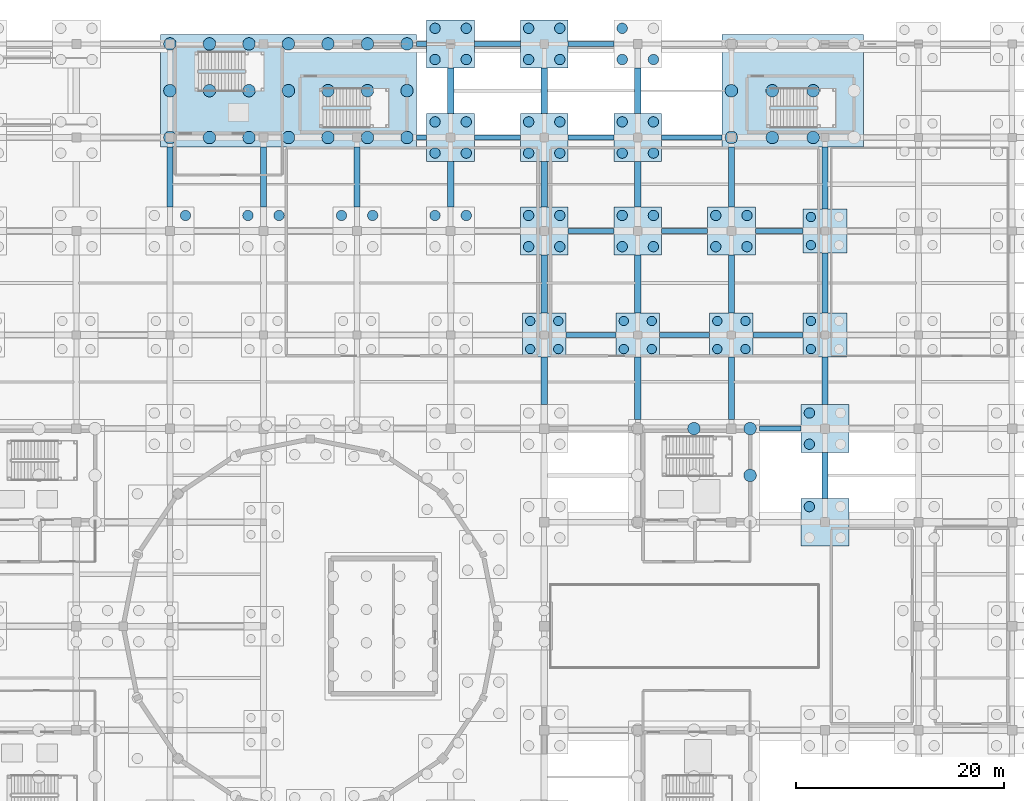
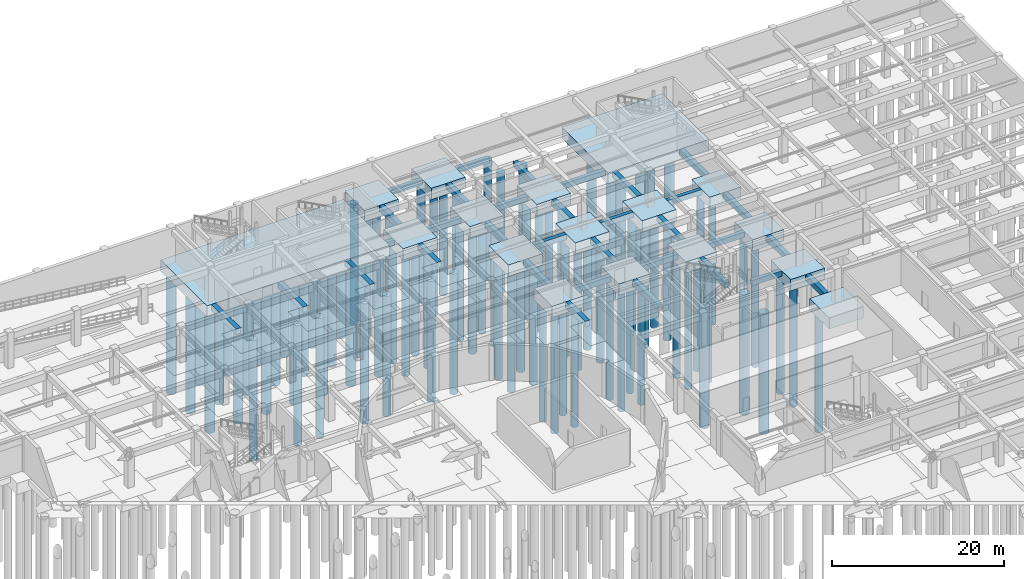
# One storey, part 8 of 62: 91 piles, 51 footings.
"""IFC4 building model written with IfcOpenShell, lengths in metres."""

from ifc_helpers import new_model, si_unit, direction, frame, origin, origin_2d, place, context, subcontext, project, spatial, polyline, rectangle, circle, outline, extrude, material, material_profile, profile_set, type_object, element, save


model = new_model("IFC4")

# Units and contexts
model_context = context("Model", 3, precision=1e-05, world=origin(), true_north=direction((0.0, 1.0)))
body_context = subcontext(model_context, "Body", "Model", "MODEL_VIEW")
ifc_project = project(units=[si_unit("LENGTHUNIT", "METRE"), si_unit("AREAUNIT", "SQUARE_METRE"), si_unit("VOLUMEUNIT", "CUBIC_METRE"), si_unit("PLANEANGLEUNIT", "RADIAN"), si_unit("MASSUNIT", "GRAM", prefix="KILO")], contexts=[model_context])

# Site, building, storey
site_placement = place(None, origin())
site = spatial("IfcSite", under=ifc_project, at=site_placement, CompositionType="ELEMENT")
building_placement = place(site_placement, origin())
building = spatial("IfcBuilding", under=site, at=building_placement, Name="Miravela Opera House", CompositionType="ELEMENT")
storey_placement = place(building_placement, frame((0.0, 0.0, -5.10009765625)))
storey = spatial("IfcBuildingStorey", under=building, at=storey_placement, Name="B01", CompositionType="ELEMENT", Elevation=-5.10009765625)

# Footings
ifc_material = material(Name="Concrete C35/45", Category="concrete")
footing_type_1 = type_object("IfcFootingType", Name="STR-GB-500X750", PredefinedType="FOOTING_BEAM", material=ifc_material)
footing_1_placement = place(storey_placement, frame((0.0, 0.0, -0.75)))
element("IfcFooting", 1, at=footing_1_placement, inside=storey, type_object=footing_type_1, Name="Seismic Grade Tie Beam GB-X-296", PredefinedType="FOOTING_BEAM", context=body_context, shape_type="SweptSolid", body=[
    extrude(outline(polyline([(119.699951171875, 74.75), (123.699951171875, 74.75), (123.699951171875, 75.25), (119.699951171875, 75.25), (119.699951171875, 74.75)])), origin(), (0.0, 0.0, 1.0), 0.75),
])
footing_2_placement = place(storey_placement, frame((0.0, 0.0, -0.75)))
element("IfcFooting", 2, at=footing_2_placement, inside=storey, type_object=footing_type_1, Name="Seismic Grade Tie Beam GB-X-312", PredefinedType="FOOTING_BEAM", context=body_context, shape_type="SweptSolid", body=[
    extrude(outline(polyline([(101.10009765625, 83.75), (105.89990234375, 83.75), (105.89990234375, 84.25), (101.10009765625, 84.25), (101.10009765625, 83.75)])), origin(), (0.0, 0.0, 1.0), 0.75),
])
footing_3_placement = place(storey_placement, frame((0.0, 0.0, -0.75)))
element("IfcFooting", 3, at=footing_3_placement, inside=storey, type_object=footing_type_1, Name="Seismic Grade Tie Beam GB-X-313", PredefinedType="FOOTING_BEAM", context=body_context, shape_type="SweptSolid", body=[
    extrude(outline(polyline([(110.10009765625, 83.75), (114.89990234375, 83.75), (114.89990234375, 84.25), (110.10009765625, 84.25), (110.10009765625, 83.75)])), origin(), (0.0, 0.0, 1.0), 0.75),
])
footing_4_placement = place(storey_placement, frame((0.0, 0.0, -0.75)))
element("IfcFooting", 4, at=footing_4_placement, inside=storey, type_object=footing_type_1, Name="Seismic Grade Tie Beam GB-X-314", PredefinedType="FOOTING_BEAM", context=body_context, shape_type="SweptSolid", body=[
    extrude(outline(polyline([(119.10009765625, 83.75), (123.89990234375, 83.75), (123.89990234375, 84.25), (119.10009765625, 84.25), (119.10009765625, 83.75)])), origin(), (0.0, 0.0, 1.0), 0.75),
])
footing_5_placement = place(storey_placement, frame((0.0, 0.0, -0.75)))
element("IfcFooting", 5, at=footing_5_placement, inside=storey, type_object=footing_type_1, Name="Seismic Grade Tie Beam GB-X-330", PredefinedType="FOOTING_BEAM", context=body_context, shape_type="SweptSolid", body=[
    extrude(outline(polyline([(101.300048828125, 93.75), (105.699951171875, 93.75), (105.699951171875, 94.25), (101.300048828125, 94.25), (101.300048828125, 93.75)])), origin(), (0.0, 0.0, 1.0), 0.75),
])
footing_6_placement = place(storey_placement, frame((0.0, 0.0, -0.75)))
element("IfcFooting", 6, at=footing_6_placement, inside=storey, type_object=footing_type_1, Name="Seismic Grade Tie Beam GB-X-331", PredefinedType="FOOTING_BEAM", context=body_context, shape_type="SweptSolid", body=[
    extrude(outline(polyline([(110.300048828125, 93.75), (114.699951171875, 93.75), (114.699951171875, 94.25), (110.300048828125, 94.25), (110.300048828125, 93.75)])), origin(), (0.0, 0.0, 1.0), 0.75),
])
footing_7_placement = place(storey_placement, frame((0.0, 0.0, -0.75)))
element("IfcFooting", 7, at=footing_7_placement, inside=storey, type_object=footing_type_1, Name="Seismic Grade Tie Beam GB-X-332", PredefinedType="FOOTING_BEAM", context=body_context, shape_type="SweptSolid", body=[
    extrude(outline(polyline([(119.300048828125, 93.75), (123.89990234375, 93.75), (123.89990234375, 94.25), (119.300048828125, 94.25), (119.300048828125, 93.75)])), origin(), (0.0, 0.0, 1.0), 0.75),
])
footing_8_placement = place(storey_placement, frame((0.0, 0.0, -0.75)))
element("IfcFooting", 8, at=footing_8_placement, inside=storey, type_object=footing_type_1, Name="Seismic Grade Tie Beam GB-X-344", PredefinedType="FOOTING_BEAM", context=body_context, shape_type="SweptSolid", body=[
    extrude(outline(polyline([(86.699951171875, 102.75), (87.699951171875, 102.75), (87.699951171875, 103.25), (86.699951171875, 103.25), (86.699951171875, 102.75)])), origin(), (0.0, 0.0, 1.0), 0.75),
])
footing_9_placement = place(storey_placement, frame((0.0, 0.0, -0.75)))
element("IfcFooting", 9, at=footing_9_placement, inside=storey, type_object=footing_type_1, Name="Seismic Grade Tie Beam GB-X-345", PredefinedType="FOOTING_BEAM", context=body_context, shape_type="SweptSolid", body=[
    extrude(outline(polyline([(92.300048828125, 102.75), (96.699951171875, 102.75), (96.699951171875, 103.25), (92.300048828125, 103.25), (92.300048828125, 102.75)])), origin(), (0.0, 0.0, 1.0), 0.75),
])
footing_10_placement = place(storey_placement, frame((0.0, 0.0, -0.75)))
element("IfcFooting", 10, at=footing_10_placement, inside=storey, type_object=footing_type_1, Name="Seismic Grade Tie Beam GB-X-346", PredefinedType="FOOTING_BEAM", context=body_context, shape_type="SweptSolid", body=[
    extrude(outline(polyline([(101.300048828125, 102.75), (105.699951171875, 102.75), (105.699951171875, 103.25), (101.300048828125, 103.25), (101.300048828125, 102.75)])), origin(), (0.0, 0.0, 1.0), 0.75),
])
footing_11_placement = place(storey_placement, frame((0.0, 0.0, -0.75)))
element("IfcFooting", 11, at=footing_11_placement, inside=storey, type_object=footing_type_1, Name="Seismic Grade Tie Beam GB-X-347", PredefinedType="FOOTING_BEAM", context=body_context, shape_type="SweptSolid", body=[
    extrude(outline(polyline([(110.300048828125, 102.75), (116.10009765625, 102.75), (116.10009765625, 103.25), (110.300048828125, 103.25), (110.300048828125, 102.75)])), origin(), (0.0, 0.0, 1.0), 0.75),
])
footing_12_placement = place(storey_placement, frame((0.0, 0.0, -0.75)))
element("IfcFooting", 12, at=footing_12_placement, inside=storey, type_object=footing_type_1, Name="Seismic Grade Tie Beam GB-X-359", PredefinedType="FOOTING_BEAM", context=body_context, shape_type="SweptSolid", body=[
    extrude(outline(polyline([(86.699951171875, 111.75), (87.699951171875, 111.75), (87.699951171875, 112.25), (86.699951171875, 112.25), (86.699951171875, 111.75)])), origin(), (0.0, 0.0, 1.0), 0.75),
])
footing_13_placement = place(storey_placement, frame((0.0, 0.0, -0.75)))
element("IfcFooting", 13, at=footing_13_placement, inside=storey, type_object=footing_type_1, Name="Seismic Grade Tie Beam GB-X-360", PredefinedType="FOOTING_BEAM", context=body_context, shape_type="SweptSolid", body=[
    extrude(outline(polyline([(92.300048828125, 111.75), (96.699951171875, 111.75), (96.699951171875, 112.25), (92.300048828125, 112.25), (92.300048828125, 111.75)])), origin(), (0.0, 0.0, 1.0), 0.75),
])
footing_14_placement = place(storey_placement, frame((0.0, 0.0, -0.75)))
element("IfcFooting", 14, at=footing_14_placement, inside=storey, type_object=footing_type_1, Name="Seismic Grade Tie Beam GB-X-361", PredefinedType="FOOTING_BEAM", context=body_context, shape_type="SweptSolid", body=[
    extrude(outline(polyline([(101.300048828125, 111.75), (105.699951171875, 111.75), (105.699951171875, 112.25), (101.300048828125, 112.25), (101.300048828125, 111.75)])), origin(), (0.0, 0.0, 1.0), 0.75),
])
footing_type_2 = type_object("IfcFootingType", Name="STR-GB-600X800", PredefinedType="FOOTING_BEAM", material=ifc_material)
footing_15_placement = place(storey_placement, frame((0.0, 0.0, -0.7998046875)))
element("IfcFooting", 15, at=footing_15_placement, inside=storey, type_object=footing_type_2, Name="Seismic Grade Tie Beam GB-Y-070", PredefinedType="FOOTING_BEAM", context=body_context, shape_type="SweptSolid", body=[
    extrude(outline(polyline([(62.699951171875, 96.300048828125), (63.300048828125, 96.300048828125), (63.300048828125, 102.10009765625), (62.699951171875, 102.10009765625), (62.699951171875, 96.300048828125)])), origin(), (0.0, 0.0, 1.0), 0.7998046875),
])
footing_16_placement = place(storey_placement, frame((0.0, 0.0, -0.7998046875)))
element("IfcFooting", 16, at=footing_16_placement, inside=storey, type_object=footing_type_2, Name="Seismic Grade Tie Beam GB-Y-080", PredefinedType="FOOTING_BEAM", context=body_context, shape_type="SweptSolid", body=[
    extrude(outline(polyline([(71.699951171875, 96.300048828125), (72.300048828125, 96.300048828125), (72.300048828125, 102.10009765625), (71.699951171875, 102.10009765625), (71.699951171875, 96.300048828125)])), origin(), (0.0, 0.0, 1.0), 0.7998046875),
])
footing_17_placement = place(storey_placement, frame((0.0, 0.0, -0.7998046875)))
element("IfcFooting", 17, at=footing_17_placement, inside=storey, type_object=footing_type_2, Name="Seismic Grade Tie Beam GB-Y-087", PredefinedType="FOOTING_BEAM", context=body_context, shape_type="SweptSolid", body=[
    extrude(outline(polyline([(80.699951171875, 96.300048828125), (81.300048828125, 96.300048828125), (81.300048828125, 102.10009765625), (80.699951171875, 102.10009765625), (80.699951171875, 96.300048828125)])), origin(), (0.0, 0.0, 1.0), 0.7998046875),
])
footing_18_placement = place(storey_placement, frame((0.0, 0.0, -0.7998046875)))
element("IfcFooting", 18, at=footing_18_placement, inside=storey, type_object=footing_type_2, Name="Seismic Grade Tie Beam GB-Y-096", PredefinedType="FOOTING_BEAM", context=body_context, shape_type="SweptSolid", body=[
    extrude(outline(polyline([(89.699951171875, 96.300048828125), (90.300048828125, 96.300048828125), (90.300048828125, 100.699951171875), (89.699951171875, 100.699951171875), (89.699951171875, 96.300048828125)])), origin(), (0.0, 0.0, 1.0), 0.7998046875),
])
footing_19_placement = place(storey_placement, frame((0.0, 0.0, -0.7998046875)))
element("IfcFooting", 19, at=footing_19_placement, inside=storey, type_object=footing_type_2, Name="Seismic Grade Tie Beam GB-Y-097", PredefinedType="FOOTING_BEAM", context=body_context, shape_type="SweptSolid", body=[
    extrude(outline(polyline([(89.699951171875, 105.300048828125), (90.300048828125, 105.300048828125), (90.300048828125, 109.699951171875), (89.699951171875, 109.699951171875), (89.699951171875, 105.300048828125)])), origin(), (0.0, 0.0, 1.0), 0.7998046875),
])
footing_20_placement = place(storey_placement, frame((0.0, 0.0, -0.7998046875)))
element("IfcFooting", 20, at=footing_20_placement, inside=storey, type_object=footing_type_2, Name="Seismic Grade Tie Beam GB-Y-106", PredefinedType="FOOTING_BEAM", context=body_context, shape_type="SweptSolid", body=[
    extrude(outline(polyline([(98.699951171875, 77.300048828125), (99.300048828125, 77.300048828125), (99.300048828125, 81.89990234375), (98.699951171875, 81.89990234375), (98.699951171875, 77.300048828125)])), origin(), (0.0, 0.0, 1.0), 0.7998046875),
])
footing_21_placement = place(storey_placement, frame((0.0, 0.0, -0.7998046875)))
element("IfcFooting", 21, at=footing_21_placement, inside=storey, type_object=footing_type_2, Name="Seismic Grade Tie Beam GB-Y-107", PredefinedType="FOOTING_BEAM", context=body_context, shape_type="SweptSolid", body=[
    extrude(outline(polyline([(98.699951171875, 86.10009765625), (99.300048828125, 86.10009765625), (99.300048828125, 91.699951171875), (98.699951171875, 91.699951171875), (98.699951171875, 86.10009765625)])), origin(), (0.0, 0.0, 1.0), 0.7998046875),
])
footing_22_placement = place(storey_placement, frame((0.0, 0.0, -0.7998046875)))
element("IfcFooting", 22, at=footing_22_placement, inside=storey, type_object=footing_type_2, Name="Seismic Grade Tie Beam GB-Y-108", PredefinedType="FOOTING_BEAM", context=body_context, shape_type="SweptSolid", body=[
    extrude(outline(polyline([(98.699951171875, 96.300048828125), (99.300048828125, 96.300048828125), (99.300048828125, 100.699951171875), (98.699951171875, 100.699951171875), (98.699951171875, 96.300048828125)])), origin(), (0.0, 0.0, 1.0), 0.7998046875),
])
footing_23_placement = place(storey_placement, frame((0.0, 0.0, -0.7998046875)))
element("IfcFooting", 23, at=footing_23_placement, inside=storey, type_object=footing_type_2, Name="Seismic Grade Tie Beam GB-Y-109", PredefinedType="FOOTING_BEAM", context=body_context, shape_type="SweptSolid", body=[
    extrude(outline(polyline([(98.699951171875, 105.300048828125), (99.300048828125, 105.300048828125), (99.300048828125, 109.699951171875), (98.699951171875, 109.699951171875), (98.699951171875, 105.300048828125)])), origin(), (0.0, 0.0, 1.0), 0.7998046875),
])
footing_24_placement = place(storey_placement, frame((0.0, 0.0, -0.7998046875)))
element("IfcFooting", 24, at=footing_24_placement, inside=storey, type_object=footing_type_2, Name="Seismic Grade Tie Beam GB-Y-114", PredefinedType="FOOTING_BEAM", context=body_context, shape_type="SweptSolid", body=[
    extrude(outline(polyline([(107.699951171875, 75.89990234375), (108.300048828125, 75.89990234375), (108.300048828125, 81.89990234375), (107.699951171875, 81.89990234375), (107.699951171875, 75.89990234375)])), origin(), (0.0, 0.0, 1.0), 0.7998046875),
])
footing_25_placement = place(storey_placement, frame((0.0, 0.0, -0.7998046875)))
element("IfcFooting", 25, at=footing_25_placement, inside=storey, type_object=footing_type_2, Name="Seismic Grade Tie Beam GB-Y-115", PredefinedType="FOOTING_BEAM", context=body_context, shape_type="SweptSolid", body=[
    extrude(outline(polyline([(107.699951171875, 86.10009765625), (108.300048828125, 86.10009765625), (108.300048828125, 91.699951171875), (107.699951171875, 91.699951171875), (107.699951171875, 86.10009765625)])), origin(), (0.0, 0.0, 1.0), 0.7998046875),
])
footing_26_placement = place(storey_placement, frame((0.0, 0.0, -0.7998046875)))
element("IfcFooting", 26, at=footing_26_placement, inside=storey, type_object=footing_type_2, Name="Seismic Grade Tie Beam GB-Y-116", PredefinedType="FOOTING_BEAM", context=body_context, shape_type="SweptSolid", body=[
    extrude(outline(polyline([(107.699951171875, 96.300048828125), (108.300048828125, 96.300048828125), (108.300048828125, 100.699951171875), (107.699951171875, 100.699951171875), (107.699951171875, 96.300048828125)])), origin(), (0.0, 0.0, 1.0), 0.7998046875),
])
footing_27_placement = place(storey_placement, frame((0.0, 0.0, -0.7998046875)))
element("IfcFooting", 27, at=footing_27_placement, inside=storey, type_object=footing_type_2, Name="Seismic Grade Tie Beam GB-Y-117", PredefinedType="FOOTING_BEAM", context=body_context, shape_type="SweptSolid", body=[
    extrude(outline(polyline([(107.699951171875, 105.300048828125), (108.300048828125, 105.300048828125), (108.300048828125, 109.699951171875), (107.699951171875, 109.699951171875), (107.699951171875, 105.300048828125)])), origin(), (0.0, 0.0, 1.0), 0.7998046875),
])
footing_28_placement = place(storey_placement, frame((0.0, 0.0, -0.7998046875)))
element("IfcFooting", 28, at=footing_28_placement, inside=storey, type_object=footing_type_2, Name="Seismic Grade Tie Beam GB-Y-121", PredefinedType="FOOTING_BEAM", context=body_context, shape_type="SweptSolid", body=[
    extrude(outline(polyline([(116.699951171875, 75.89990234375), (117.300048828125, 75.89990234375), (117.300048828125, 81.89990234375), (116.699951171875, 81.89990234375), (116.699951171875, 75.89990234375)])), origin(), (0.0, 0.0, 1.0), 0.7998046875),
])
footing_29_placement = place(storey_placement, frame((0.0, 0.0, -0.7998046875)))
element("IfcFooting", 29, at=footing_29_placement, inside=storey, type_object=footing_type_2, Name="Seismic Grade Tie Beam GB-Y-122", PredefinedType="FOOTING_BEAM", context=body_context, shape_type="SweptSolid", body=[
    extrude(outline(polyline([(116.699951171875, 86.10009765625), (117.300048828125, 86.10009765625), (117.300048828125, 91.699951171875), (116.699951171875, 91.699951171875), (116.699951171875, 86.10009765625)])), origin(), (0.0, 0.0, 1.0), 0.7998046875),
])
footing_30_placement = place(storey_placement, frame((0.0, 0.0, -0.7998046875)))
element("IfcFooting", 30, at=footing_30_placement, inside=storey, type_object=footing_type_2, Name="Seismic Grade Tie Beam GB-Y-123", PredefinedType="FOOTING_BEAM", context=body_context, shape_type="SweptSolid", body=[
    extrude(outline(polyline([(116.699951171875, 96.300048828125), (117.300048828125, 96.300048828125), (117.300048828125, 102.10009765625), (116.699951171875, 102.10009765625), (116.699951171875, 96.300048828125)])), origin(), (0.0, 0.0, 1.0), 0.7998046875),
])
footing_31_placement = place(storey_placement, frame((0.0, 0.0, -0.7998046875)))
element("IfcFooting", 31, at=footing_31_placement, inside=storey, type_object=footing_type_2, Name="Seismic Grade Tie Beam GB-Y-128", PredefinedType="FOOTING_BEAM", context=body_context, shape_type="SweptSolid", body=[
    extrude(outline(polyline([(125.699951171875, 68.300048828125), (126.300048828125, 68.300048828125), (126.300048828125, 72.699951171875), (125.699951171875, 72.699951171875), (125.699951171875, 68.300048828125)])), origin(), (0.0, 0.0, 1.0), 0.7998046875),
])
footing_32_placement = place(storey_placement, frame((0.0, 0.0, -0.7998046875)))
element("IfcFooting", 32, at=footing_32_placement, inside=storey, type_object=footing_type_2, Name="Seismic Grade Tie Beam GB-Y-129", PredefinedType="FOOTING_BEAM", context=body_context, shape_type="SweptSolid", body=[
    extrude(outline(polyline([(125.699951171875, 77.300048828125), (126.300048828125, 77.300048828125), (126.300048828125, 81.89990234375), (125.699951171875, 81.89990234375), (125.699951171875, 77.300048828125)])), origin(), (0.0, 0.0, 1.0), 0.7998046875),
])
footing_33_placement = place(storey_placement, frame((0.0, 0.0, -0.7998046875)))
element("IfcFooting", 33, at=footing_33_placement, inside=storey, type_object=footing_type_2, Name="Seismic Grade Tie Beam GB-Y-130", PredefinedType="FOOTING_BEAM", context=body_context, shape_type="SweptSolid", body=[
    extrude(outline(polyline([(125.699951171875, 86.10009765625), (126.300048828125, 86.10009765625), (126.300048828125, 91.89990234375), (125.699951171875, 91.89990234375), (125.699951171875, 86.10009765625)])), origin(), (0.0, 0.0, 1.0), 0.7998046875),
])
footing_34_placement = place(storey_placement, frame((0.0, 0.0, -0.7998046875)))
element("IfcFooting", 34, at=footing_34_placement, inside=storey, type_object=footing_type_2, Name="Seismic Grade Tie Beam GB-Y-131", PredefinedType="FOOTING_BEAM", context=body_context, shape_type="SweptSolid", body=[
    extrude(outline(polyline([(125.699951171875, 96.10009765625), (126.300048828125, 96.10009765625), (126.300048828125, 102.10009765625), (125.699951171875, 102.10009765625), (125.699951171875, 96.10009765625)])), origin(), (0.0, 0.0, 1.0), 0.7998046875),
])
footing_type_3 = type_object("IfcFootingType", Name="STR-PC-13600X10800X1600", PredefinedType="PILE_CAP", material=ifc_material)
footing_35_placement = place(storey_placement, frame((122.89990234375, 107.5, -1.599853515625), z_axis=(0.0, 0.0, 1.0), x_axis=(1.0, 0.0, 0.0)))
element("IfcFooting", 35, at=footing_35_placement, inside=storey, type_object=footing_type_3, Name="Pile Cap PC-B01-139 (PC-09)", PredefinedType="PILE_CAP", context=body_context, shape_type="SweptSolid", body=[
    extrude(rectangle(XDim=13.60009765625, YDim=10.800048828125, at=origin_2d()), origin(), (0.0, 0.0, 1.0), 1.60009765625),
])
footing_type_4 = type_object("IfcFootingType", Name="STR-PC-24600X10800X1600", PredefinedType="PILE_CAP", material=ifc_material)
footing_36_placement = place(storey_placement, frame((74.39990234375, 107.5, -1.599853515625), z_axis=(0.0, 0.0, 1.0), x_axis=(1.0, 0.0, 0.0)))
element("IfcFooting", 36, at=footing_36_placement, inside=storey, type_object=footing_type_4, Name="Pile Cap PC-B01-096 (PC-07)", PredefinedType="PILE_CAP", context=body_context, shape_type="SweptSolid", body=[
    extrude(rectangle(XDim=24.60009765625, YDim=10.800048828125, at=origin_2d()), origin(), (0.0, 0.0, 1.0), 1.60009765625),
])
footing_type_5 = type_object("IfcFootingType", Name="STR-PC-4200X4200X1600", PredefinedType="PILE_CAP", material=ifc_material)
for number, where, z_axis, x_axis, name in (
    (37, (99.0, 84.0, -1.599853515625), (0.0, 0.0, 1.0), (1.0, 0.0, 0.0), "Pile Cap PC-B01-120 (PC-02)"),
    (38, (108.0, 84.0, -1.599853515625), (0.0, 0.0, 1.0), (1.0, 0.0, 0.0), "Pile Cap PC-B01-130 (PC-02)"),
    (39, (117.0, 84.0, -1.599853515625), (0.0, 0.0, 1.0), (1.0, 0.0, 0.0), "Pile Cap PC-B01-137 (PC-02)"),
    (40, (126.0, 84.0, -1.599853515625), (0.0, 0.0, 1.0), (1.0, 0.0, 0.0), "Pile Cap PC-B01-146 (PC-02)"),
    (41, (126.0, 94.0, -1.599853515625), (0.0, 0.0, 1.0), (1.0, 0.0, 0.0), "Pile Cap PC-B01-147 (PC-02)"),
):
    element("IfcFooting", number, at=place(storey_placement, frame(where, z_axis=z_axis, x_axis=x_axis)), inside=storey, type_object=footing_type_5, Name=name, PredefinedType="PILE_CAP", context=body_context, shape_type="SweptSolid", body=[
        extrude(rectangle(XDim=4.199951171875, YDim=4.199951171875, at=origin_2d()), origin(), (0.0, 0.0, 1.0), 1.60009765625),
    ])
footing_type_6 = type_object("IfcFootingType", Name="STR-PC-4600X4600X1600", PredefinedType="PILE_CAP", material=ifc_material)
for number, where, z_axis, x_axis, name in (
    (42, (90.0, 103.0, -1.599853515625), (0.0, 0.0, 1.0), (1.0, 0.0, 0.0), "Pile Cap PC-B01-107 (PC-04)"),
    (43, (90.0, 112.0, -1.599853515625), (0.0, 0.0, 1.0), (1.0, 0.0, 0.0), "Pile Cap PC-B01-108 (PC-04)"),
    (44, (99.0, 94.0, -1.599853515625), (0.0, 0.0, 1.0), (1.0, 0.0, 0.0), "Pile Cap PC-B01-121 (PC-04)"),
    (45, (99.0, 103.0, -1.599853515625), (0.0, 0.0, 1.0), (1.0, 0.0, 0.0), "Pile Cap PC-B01-122 (PC-04)"),
    (46, (99.0, 112.0, -1.599853515625), (0.0, 0.0, 1.0), (1.0, 0.0, 0.0), "Pile Cap PC-B01-123 (PC-04)"),
    (47, (108.0, 94.0, -1.599853515625), (0.0, 0.0, 1.0), (1.0, 0.0, 0.0), "Pile Cap PC-B01-131 (PC-04)"),
    (48, (108.0, 103.0, -1.599853515625), (0.0, 0.0, 1.0), (1.0, 0.0, 0.0), "Pile Cap PC-B01-132 (PC-04)"),
    (49, (117.0, 94.0, -1.599853515625), (0.0, 0.0, 1.0), (1.0, 0.0, 0.0), "Pile Cap PC-B01-138 (PC-04)"),
    (50, (126.0, 66.0, -1.599853515625), (0.0, 0.0, 1.0), (1.0, 0.0, 0.0), "Pile Cap PC-B01-144 (PC-04)"),
    (51, (126.0, 75.0, -1.599853515625), (0.0, 0.0, 1.0), (1.0, 0.0, 0.0), "Pile Cap PC-B01-145 (PC-04)"),
):
    element("IfcFooting", number, at=place(storey_placement, frame(where, z_axis=z_axis, x_axis=x_axis)), inside=storey, type_object=footing_type_6, Name=name, PredefinedType="PILE_CAP", context=body_context, shape_type="SweptSolid", body=[
        extrude(rectangle(XDim=4.60009765625, YDim=4.60009765625, at=origin_2d()), origin(), (0.0, 0.0, 1.0), 1.60009765625),
    ])

# Piles
ifc_material_profile_1 = material_profile(ifc_material, circle(Radius=0.5, at=origin_2d()), Name="PILE-D1000")
ifc_profile_set_1 = profile_set([ifc_material_profile_1])
pile_type_1 = type_object("IfcPileType", Name="STR-PILE-D1000", PredefinedType="BORED", material=ifc_profile_set_1)
for number, where, z_axis, x_axis, name in (
    (52, (64.5, 95.5, -1.449951171875), (0.0, 0.0, -1.0), (1.0, 0.0, 0.0), "Bored Pile P-328"),
    (53, (70.5, 95.5, -1.449951171875), (0.0, 0.0, -1.0), (1.0, 0.0, 0.0), "Bored Pile P-362"),
    (54, (73.5, 95.5, -1.449951171875), (0.0, 0.0, -1.0), (1.0, 0.0, 0.0), "Bored Pile P-364"),
    (55, (79.5, 95.5, -1.449951171875), (0.0, 0.0, -1.0), (1.0, 0.0, 0.0), "Bored Pile P-402"),
    (56, (82.5, 95.5, -1.449951171875), (0.0, 0.0, -1.0), (1.0, 0.0, 0.0), "Bored Pile P-404"),
    (57, (88.5, 95.5, -1.449951171875), (0.0, 0.0, -1.0), (1.0, 0.0, 0.0), "Bored Pile P-463"),
    (58, (91.5, 95.5, -1.449951171875), (0.0, 0.0, -1.0), (1.0, 0.0, 0.0), "Bored Pile P-465"),
    (59, (88.5, 101.5, -1.449951171875), (0.0, 0.0, -1.0), (1.0, 0.0, 0.0), "Bored Pile P-466"),
    (60, (88.5, 104.5, -1.449951171875), (0.0, 0.0, -1.0), (1.0, 0.0, 0.0), "Bored Pile P-467"),
    (61, (91.5, 101.5, -1.449951171875), (0.0, 0.0, -1.0), (1.0, 0.0, 0.0), "Bored Pile P-468"),
    (62, (91.5, 104.5, -1.449951171875), (0.0, 0.0, -1.0), (1.0, 0.0, 0.0), "Bored Pile P-469"),
    (63, (88.5, 110.5, -1.449951171875), (0.0, 0.0, -1.0), (1.0, 0.0, 0.0), "Bored Pile P-470"),
    (64, (88.5, 113.5, -1.449951171875), (0.0, 0.0, -1.0), (1.0, 0.0, 0.0), "Bored Pile P-471"),
    (65, (91.5, 110.5, -1.449951171875), (0.0, 0.0, -1.0), (1.0, 0.0, 0.0), "Bored Pile P-472"),
    (66, (91.5, 113.5, -1.449951171875), (0.0, 0.0, -1.0), (1.0, 0.0, 0.0), "Bored Pile P-473"),
    (67, (97.5, 92.5, -1.449951171875), (0.0, 0.0, -1.0), (1.0, 0.0, 0.0), "Bored Pile P-522"),
    (68, (97.5, 95.5, -1.449951171875), (0.0, 0.0, -1.0), (1.0, 0.0, 0.0), "Bored Pile P-523"),
    (69, (100.5, 92.5, -1.449951171875), (0.0, 0.0, -1.0), (1.0, 0.0, 0.0), "Bored Pile P-524"),
    (70, (100.5, 95.5, -1.449951171875), (0.0, 0.0, -1.0), (1.0, 0.0, 0.0), "Bored Pile P-525"),
    (71, (97.5, 101.5, -1.449951171875), (0.0, 0.0, -1.0), (1.0, 0.0, 0.0), "Bored Pile P-526"),
    (72, (97.5, 104.5, -1.449951171875), (0.0, 0.0, -1.0), (1.0, 0.0, 0.0), "Bored Pile P-527"),
    (73, (100.5, 101.5, -1.449951171875), (0.0, 0.0, -1.0), (1.0, 0.0, 0.0), "Bored Pile P-528"),
    (74, (100.5, 104.5, -1.449951171875), (0.0, 0.0, -1.0), (1.0, 0.0, 0.0), "Bored Pile P-529"),
    (75, (97.5, 110.5, -1.449951171875), (0.0, 0.0, -1.0), (1.0, 0.0, 0.0), "Bored Pile P-530"),
    (76, (97.5, 113.5, -1.449951171875), (0.0, 0.0, -1.0), (1.0, 0.0, 0.0), "Bored Pile P-531"),
    (77, (100.5, 110.5, -1.449951171875), (0.0, 0.0, -1.0), (1.0, 0.0, 0.0), "Bored Pile P-532"),
    (78, (100.5, 113.5, -1.449951171875), (0.0, 0.0, -1.0), (1.0, 0.0, 0.0), "Bored Pile P-533"),
    (79, (106.5, 92.5, -1.449951171875), (0.0, 0.0, -1.0), (1.0, 0.0, 0.0), "Bored Pile P-572"),
    (80, (106.5, 95.5, -1.449951171875), (0.0, 0.0, -1.0), (1.0, 0.0, 0.0), "Bored Pile P-573"),
    (81, (109.5, 92.5, -1.449951171875), (0.0, 0.0, -1.0), (1.0, 0.0, 0.0), "Bored Pile P-574"),
    (82, (109.5, 95.5, -1.449951171875), (0.0, 0.0, -1.0), (1.0, 0.0, 0.0), "Bored Pile P-575"),
    (83, (106.5, 101.5, -1.449951171875), (0.0, 0.0, -1.0), (1.0, 0.0, 0.0), "Bored Pile P-576"),
    (84, (106.5, 104.5, -1.449951171875), (0.0, 0.0, -1.0), (1.0, 0.0, 0.0), "Bored Pile P-577"),
    (85, (109.5, 101.5, -1.449951171875), (0.0, 0.0, -1.0), (1.0, 0.0, 0.0), "Bored Pile P-578"),
    (86, (109.5, 104.5, -1.449951171875), (0.0, 0.0, -1.0), (1.0, 0.0, 0.0), "Bored Pile P-579"),
    (87, (106.5, 110.5, -1.449951171875), (0.0, 0.0, -1.0), (1.0, 0.0, 0.0), "Bored Pile P-580"),
    (88, (106.5, 113.5, -1.449951171875), (0.0, 0.0, -1.0), (1.0, 0.0, 0.0), "Bored Pile P-581"),
    (89, (109.5, 110.5, -1.449951171875), (0.0, 0.0, -1.0), (1.0, 0.0, 0.0), "Bored Pile P-582"),
    (90, (115.5, 92.5, -1.449951171875), (0.0, 0.0, -1.0), (1.0, 0.0, 0.0), "Bored Pile P-608"),
    (91, (115.5, 95.5, -1.449951171875), (0.0, 0.0, -1.0), (1.0, 0.0, 0.0), "Bored Pile P-609"),
    (92, (118.5, 92.5, -1.449951171875), (0.0, 0.0, -1.0), (1.0, 0.0, 0.0), "Bored Pile P-610"),
    (93, (118.5, 95.5, -1.449951171875), (0.0, 0.0, -1.0), (1.0, 0.0, 0.0), "Bored Pile P-611"),
    (94, (124.5, 67.5, -1.449951171875), (0.0, 0.0, -1.0), (1.0, 0.0, 0.0), "Bored Pile P-641"),
    (95, (124.5, 73.5, -1.449951171875), (0.0, 0.0, -1.0), (1.0, 0.0, 0.0), "Bored Pile P-644"),
    (96, (124.5, 76.5, -1.449951171875), (0.0, 0.0, -1.0), (1.0, 0.0, 0.0), "Bored Pile P-645"),
):
    element("IfcPile", number, at=place(storey_placement, frame(where, z_axis=z_axis, x_axis=x_axis)), inside=storey, type_object=pile_type_1, Name=name, PredefinedType="BORED", context=body_context, shape_type="SweptSolid", body=[
        extrude(circle(Radius=0.5, at=origin_2d()), origin(), (0.0, 0.0, 1.0), 17.14990234375),
    ])
ifc_material_profile_2 = material_profile(ifc_material, circle(Radius=0.60009765625, at=origin_2d()), Name="PILE-D1200")
ifc_profile_set_2 = profile_set([ifc_material_profile_2])
pile_type_2 = type_object("IfcPileType", Name="STR-PILE-D1200", PredefinedType="BORED", material=ifc_profile_set_2)
for number, where, z_axis, x_axis, name in (
    (97, (63.0, 103.0, -1.449951171875), (0.0, 0.0, -1.0), (1.0, 0.0, 0.0), "Bored Pile P-405"),
    (98, (63.0, 107.5, -1.449951171875), (0.0, 0.0, -1.0), (1.0, 0.0, 0.0), "Bored Pile P-406"),
    (99, (63.0, 112.0, -1.449951171875), (0.0, 0.0, -1.0), (1.0, 0.0, 0.0), "Bored Pile P-407"),
    (100, (66.800048828125, 103.0, -1.449951171875), (0.0, 0.0, -1.0), (1.0, 0.0, 0.0), "Bored Pile P-408"),
    (101, (66.800048828125, 107.5, -1.449951171875), (0.0, 0.0, -1.0), (1.0, 0.0, 0.0), "Bored Pile P-409"),
    (102, (66.800048828125, 112.0, -1.449951171875), (0.0, 0.0, -1.0), (1.0, 0.0, 0.0), "Bored Pile P-410"),
    (103, (70.60009765625, 103.0, -1.449951171875), (0.0, 0.0, -1.0), (1.0, 0.0, 0.0), "Bored Pile P-411"),
    (104, (70.60009765625, 107.5, -1.449951171875), (0.0, 0.0, -1.0), (1.0, 0.0, 0.0), "Bored Pile P-412"),
    (105, (70.60009765625, 112.0, -1.449951171875), (0.0, 0.0, -1.0), (1.0, 0.0, 0.0), "Bored Pile P-413"),
    (106, (74.39990234375, 103.0, -1.449951171875), (0.0, 0.0, -1.0), (1.0, 0.0, 0.0), "Bored Pile P-414"),
    (107, (74.39990234375, 107.5, -1.449951171875), (0.0, 0.0, -1.0), (1.0, 0.0, 0.0), "Bored Pile P-415"),
    (108, (74.39990234375, 112.0, -1.449951171875), (0.0, 0.0, -1.0), (1.0, 0.0, 0.0), "Bored Pile P-416"),
    (109, (78.199951171875, 103.0, -1.449951171875), (0.0, 0.0, -1.0), (1.0, 0.0, 0.0), "Bored Pile P-417"),
    (110, (78.199951171875, 107.5, -1.449951171875), (0.0, 0.0, -1.0), (1.0, 0.0, 0.0), "Bored Pile P-418"),
    (111, (78.199951171875, 112.0, -1.449951171875), (0.0, 0.0, -1.0), (1.0, 0.0, 0.0), "Bored Pile P-419"),
    (112, (82.0, 103.0, -1.449951171875), (0.0, 0.0, -1.0), (1.0, 0.0, 0.0), "Bored Pile P-420"),
    (113, (82.0, 107.5, -1.449951171875), (0.0, 0.0, -1.0), (1.0, 0.0, 0.0), "Bored Pile P-421"),
    (114, (82.0, 112.0, -1.449951171875), (0.0, 0.0, -1.0), (1.0, 0.0, 0.0), "Bored Pile P-422"),
    (115, (85.800048828125, 103.0, -1.449951171875), (0.0, 0.0, -1.0), (1.0, 0.0, 0.0), "Bored Pile P-423"),
    (116, (85.800048828125, 107.5, -1.449951171875), (0.0, 0.0, -1.0), (1.0, 0.0, 0.0), "Bored Pile P-424"),
    (117, (85.800048828125, 112.0, -1.449951171875), (0.0, 0.0, -1.0), (1.0, 0.0, 0.0), "Bored Pile P-425"),
    (118, (113.39990234375, 75.0, -1.449951171875), (0.0, 0.0, -1.0), (1.0, 0.0, 0.0), "Bored Pile P-564"),
    (119, (118.800048828125, 70.5, -1.449951171875), (0.0, 0.0, -1.0), (1.0, 0.0, 0.0), "Bored Pile P-566"),
    (120, (118.800048828125, 75.0, -1.449951171875), (0.0, 0.0, -1.0), (1.0, 0.0, 0.0), "Bored Pile P-567"),
    (121, (117.0, 103.0, -1.449951171875), (0.0, 0.0, -1.0), (1.0, 0.0, 0.0), "Bored Pile P-612"),
    (122, (117.0, 107.5, -1.449951171875), (0.0, 0.0, -1.0), (1.0, 0.0, 0.0), "Bored Pile P-613"),
    (123, (120.933349609375, 103.0, -1.449951171875), (0.0, 0.0, -1.0), (1.0, 0.0, 0.0), "Bored Pile P-615"),
    (124, (120.933349609375, 107.5, -1.449951171875), (0.0, 0.0, -1.0), (1.0, 0.0, 0.0), "Bored Pile P-616"),
    (125, (124.86669921875, 103.0, -1.449951171875), (0.0, 0.0, -1.0), (1.0, 0.0, 0.0), "Bored Pile P-618"),
    (126, (124.86669921875, 107.5, -1.449951171875), (0.0, 0.0, -1.0), (1.0, 0.0, 0.0), "Bored Pile P-619"),
):
    element("IfcPile", number, at=place(storey_placement, frame(where, z_axis=z_axis, x_axis=x_axis)), inside=storey, type_object=pile_type_2, Name=name, PredefinedType="BORED", context=body_context, shape_type="SweptSolid", body=[
        extrude(circle(Radius=0.60009765625, at=origin_2d()), origin(), (0.0, 0.0, 1.0), 17.14990234375),
    ])
ifc_material_profile_3 = material_profile(ifc_material, circle(Radius=0.449951171875, at=origin_2d()), Name="PILE-D900")
ifc_profile_set_3 = profile_set([ifc_material_profile_3])
pile_type_3 = type_object("IfcPileType", Name="STR-PILE-D900", PredefinedType="BORED", material=ifc_profile_set_3)
for number, where, z_axis, x_axis, name in (
    (127, (97.64990234375, 82.64990234375, -1.449951171875), (0.0, 0.0, -1.0), (1.0, 0.0, 0.0), "Bored Pile P-518"),
    (128, (97.64990234375, 85.35009765625, -1.449951171875), (0.0, 0.0, -1.0), (1.0, 0.0, 0.0), "Bored Pile P-519"),
    (129, (100.35009765625, 82.64990234375, -1.449951171875), (0.0, 0.0, -1.0), (1.0, 0.0, 0.0), "Bored Pile P-520"),
    (130, (100.35009765625, 85.35009765625, -1.449951171875), (0.0, 0.0, -1.0), (1.0, 0.0, 0.0), "Bored Pile P-521"),
    (131, (106.64990234375, 82.64990234375, -1.449951171875), (0.0, 0.0, -1.0), (1.0, 0.0, 0.0), "Bored Pile P-568"),
    (132, (106.64990234375, 85.35009765625, -1.449951171875), (0.0, 0.0, -1.0), (1.0, 0.0, 0.0), "Bored Pile P-569"),
    (133, (109.35009765625, 82.64990234375, -1.449951171875), (0.0, 0.0, -1.0), (1.0, 0.0, 0.0), "Bored Pile P-570"),
    (134, (109.35009765625, 85.35009765625, -1.449951171875), (0.0, 0.0, -1.0), (1.0, 0.0, 0.0), "Bored Pile P-571"),
    (135, (115.64990234375, 82.64990234375, -1.449951171875), (0.0, 0.0, -1.0), (1.0, 0.0, 0.0), "Bored Pile P-604"),
    (136, (115.64990234375, 85.35009765625, -1.449951171875), (0.0, 0.0, -1.0), (1.0, 0.0, 0.0), "Bored Pile P-605"),
    (137, (118.35009765625, 82.64990234375, -1.449951171875), (0.0, 0.0, -1.0), (1.0, 0.0, 0.0), "Bored Pile P-606"),
    (138, (118.35009765625, 85.35009765625, -1.449951171875), (0.0, 0.0, -1.0), (1.0, 0.0, 0.0), "Bored Pile P-607"),
    (139, (124.64990234375, 82.64990234375, -1.449951171875), (0.0, 0.0, -1.0), (1.0, 0.0, 0.0), "Bored Pile P-648"),
    (140, (124.64990234375, 85.35009765625, -1.449951171875), (0.0, 0.0, -1.0), (1.0, 0.0, 0.0), "Bored Pile P-649"),
    (141, (124.64990234375, 92.64990234375, -1.449951171875), (0.0, 0.0, -1.0), (1.0, 0.0, 0.0), "Bored Pile P-652"),
    (142, (124.64990234375, 95.35009765625, -1.449951171875), (0.0, 0.0, -1.0), (1.0, 0.0, 0.0), "Bored Pile P-653"),
):
    element("IfcPile", number, at=place(storey_placement, frame(where, z_axis=z_axis, x_axis=x_axis)), inside=storey, type_object=pile_type_3, Name=name, PredefinedType="BORED", context=body_context, shape_type="SweptSolid", body=[
        extrude(circle(Radius=0.449951171875, at=origin_2d()), origin(), (0.0, 0.0, 1.0), 17.14990234375),
    ])

save(model, "model.ifc")
